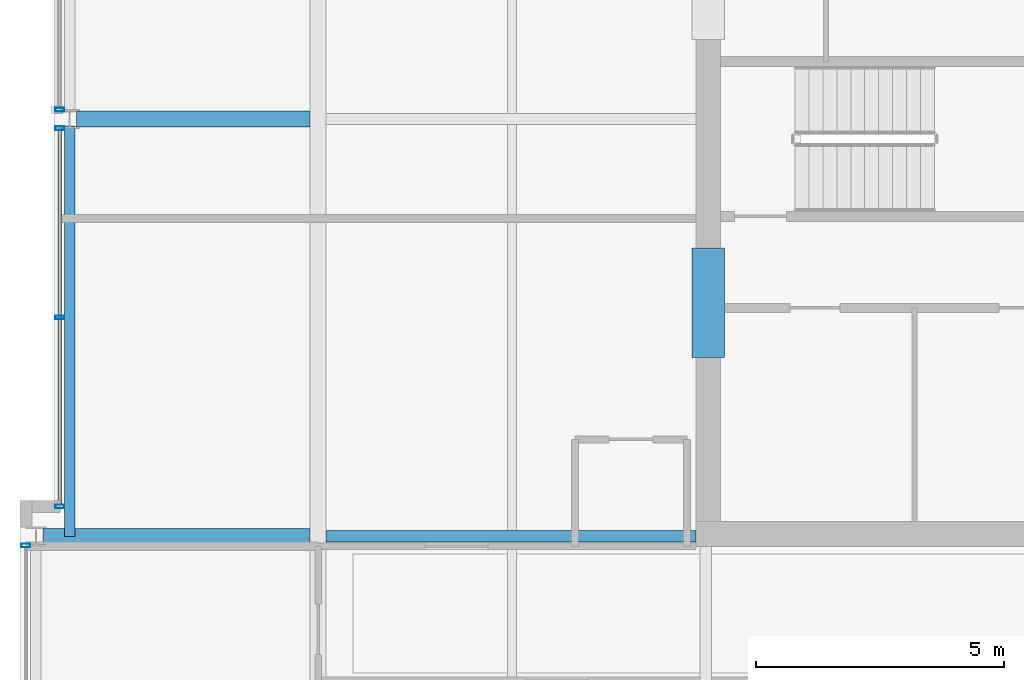
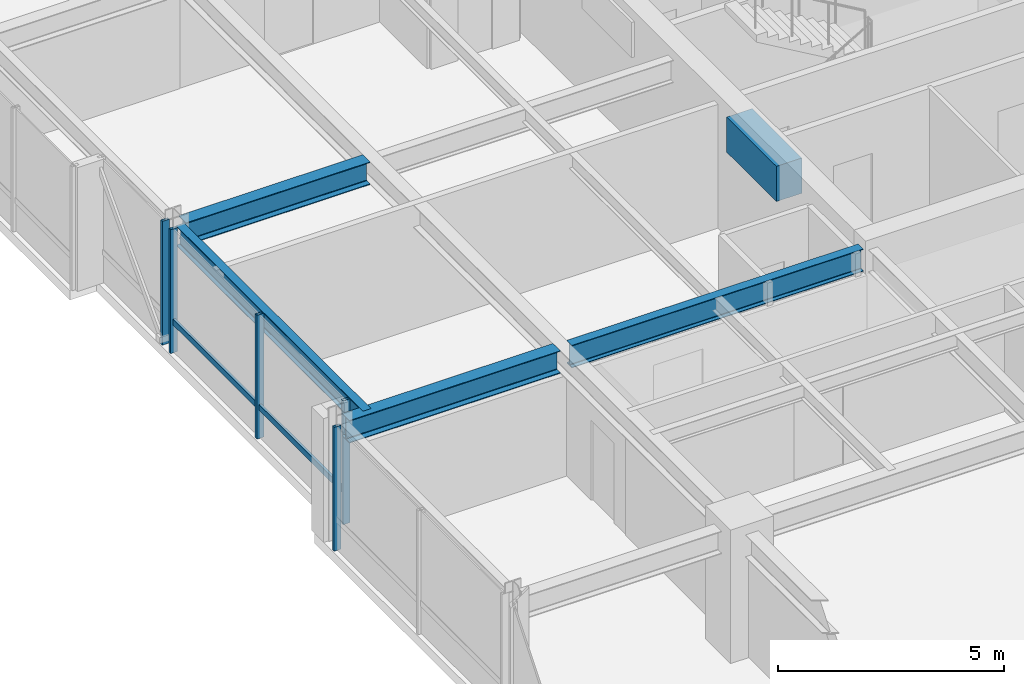
# One storey, part 8 of 31: 6 members, 5 beams, 3 elements without a shape of their own.
"""IFC4 building model written with IfcOpenShell, lengths in metres."""

from ifc_helpers import new_model, si_unit, direction, frame, origin, origin_2d, place, context, subcontext, project, spatial, rectangle, hollow_rectangle, i_section, extrude, material, layer, layer_set, material_profile, profile_set, type_object, element, aggregate, save


model = new_model("IFC4")

# Units and contexts
model_context = context("Model", 3, precision=1e-05, world=origin(), true_north=direction((0.0, 1.0)))
body_context = subcontext(model_context, "Body", "Model", "MODEL_VIEW")
ifc_project = project(units=[si_unit("LENGTHUNIT", "METRE"), si_unit("AREAUNIT", "SQUARE_METRE"), si_unit("VOLUMEUNIT", "CUBIC_METRE"), si_unit("PLANEANGLEUNIT", "RADIAN"), si_unit("MASSUNIT", "GRAM", prefix="KILO")], contexts=[model_context])

# Site, building, storey
site_placement = place(None, origin())
site = spatial("IfcSite", under=ifc_project, at=site_placement, CompositionType="ELEMENT")
building_placement = place(site_placement, origin())
building = spatial("IfcBuilding", under=site, at=building_placement, Name="Drelvath Grand Hotel", CompositionType="ELEMENT")
storey_placement = place(building_placement, frame((0.0, 0.0, 219.5)))
storey = spatial("IfcBuildingStorey", under=building, at=storey_placement, Name="L57", CompositionType="ELEMENT", Elevation=219.5)

# Beam
ifc_material_1 = material(Name="Concrete f'c 55 MPa", Category="concrete")
ifc_material_profile_1 = material_profile(ifc_material_1, rectangle(XDim=0.64990234375, YDim=0.949951171875, at=origin_2d()), Name="CB650X950")
ifc_profile_set_1 = profile_set([ifc_material_profile_1], Name="Concrete f'c 55 MPa")
beam_type_1 = type_object("IfcBeamType", Name="Core Coupling Lintel CB650X950", PredefinedType="LINTEL", material=ifc_profile_set_1)
beam_1_placement = place(storey_placement, frame((-8.35009765625, 22.199951171875, 2.864990234375), z_axis=(0.0, 1.0, 0.0), x_axis=(-1.0, 0.0, 0.0)))
element("IfcBeam", 1, at=beam_1_placement, inside=storey, type_object=beam_type_1, Name="L57 Core Coupling Lintel WS", PredefinedType="LINTEL", context=body_context, shape_type="SweptSolid", body=[
    extrude(rectangle(XDim=0.64990234375, YDim=0.949951171875, at=origin_2d()), origin(), (0.0, 0.0, 1.0), 2.199951171875),
])

# Curtain wall, member
ifc_material_2 = material(Name="Platinum-Mist Anodised Aluminium Frame", Category="aluminium")
ifc_layer = layer(ifc_material_2, 0.199951171875)
ifc_layer_set = layer_set([ifc_layer], Name="Platinum-Mist Anodised Aluminium Frame")
curtain_wall_type = type_object("IfcCurtainWallType", Name="Stick Curtain Wall CW-05 Platinum Mist High-Rise", PredefinedType="NOTDEFINED", material=ifc_layer_set)
curtain_wall_1_placement = place(storey_placement, origin())
curtain_wall_1 = element("IfcCurtainWall", 2, at=curtain_wall_1_placement, inside=storey, type_object=curtain_wall_type, Name="L57 CW-05 Curtain Wall CW05-L57-WM1", PredefinedType="NOTDEFINED")
ifc_material_profile_2 = material_profile(ifc_material_2, hollow_rectangle(XDim=0.06494140625, YDim=0.159912109375, WallThickness=0.00390625, at=origin_2d()), Name="HSS160X65X4")
ifc_profile_set_2 = profile_set([ifc_material_profile_2], Name="Platinum-Mist Anodised Aluminium Frame")
member_type_1 = type_object("IfcMemberType", Name="Curtain Wall Horizontal Transom CW-05 HSS160X65X4", PredefinedType="USERDEFINED", material=ifc_profile_set_2)
member_1_placement = place(storey_placement, frame((-21.39990234375, 19.239990234375, 0.8349609375), z_axis=(0.0, 1.0, 0.0), x_axis=(-1.0, 0.0, 0.0)))
member_1 = element("IfcMember", 3, at=member_1_placement, type_object=member_type_1, Name="CW05-L57-WM1 Sill Transom", ObjectType="TRANSOM", PredefinedType="USERDEFINED", context=body_context, shape_type="SweptSolid", body=[
    extrude(hollow_rectangle(XDim=0.06494140625, YDim=0.159912109375, WallThickness=0.00390625, at=origin_2d()), origin(), (0.0, 0.0, 1.0), 7.53466796875),
])

curtain_wall_2_placement = place(storey_placement, origin())
curtain_wall_2 = element("IfcCurtainWall", 4, at=curtain_wall_2_placement, inside=storey, type_object=curtain_wall_type, Name="L57 CW-05 Curtain Wall CW05-L57-WS2", PredefinedType="NOTDEFINED")
ifc_material_profile_3 = material_profile(ifc_material_2, hollow_rectangle(XDim=0.074951171875, YDim=0.179931640625, WallThickness=0.0048828125, at=origin_2d()), Name="HSS180X75X5")
ifc_profile_set_3 = profile_set([ifc_material_profile_3], Name="Platinum-Mist Anodised Aluminium Frame")
member_type_2 = type_object("IfcMemberType", Name="Curtain Wall Vertical Mullion CW-05 HSS180X75X5", PredefinedType="MULLION", material=ifc_profile_set_3)
member_2_placement = place(storey_placement, frame((-22.080078125, 18.414794921875, 0.0), z_axis=(0.0, 0.0, 1.0), x_axis=(0.0, 1.0, 0.0)))
member_2 = element("IfcMember", 5, at=member_2_placement, type_object=member_type_2, Name="CW05-L57-WS2 Mullion 3", PredefinedType="MULLION", context=body_context, shape_type="SweptSolid", body=[
    extrude(hollow_rectangle(XDim=0.074951171875, YDim=0.179931640625, WallThickness=0.0048828125, at=origin_2d()), origin(), (0.0, 0.0, 1.0), 3.340087890625),
])
aggregate(curtain_wall_2, [member_2])

# Member
member_3_placement = place(storey_placement, frame((-21.39990234375, 19.199951171875, 0.0), z_axis=(0.0, 0.0, 1.0), x_axis=(0.0, 1.0, 0.0)))
member_3 = element("IfcMember", 6, at=member_3_placement, type_object=member_type_2, Name="CW05-L57-WM1 Mullion 1", PredefinedType="MULLION", context=body_context, shape_type="SweptSolid", body=[
    extrude(hollow_rectangle(XDim=0.074951171875, YDim=0.179931640625, WallThickness=0.0048828125, at=origin_2d()), origin(), (0.0, 0.0, 1.0), 3.340087890625),
])

member_4_placement = place(storey_placement, frame((-21.39990234375, 23.00732421875, 0.0), z_axis=(0.0, 0.0, 1.0), x_axis=(0.0, 1.0, 0.0)))
member_4 = element("IfcMember", 7, at=member_4_placement, type_object=member_type_2, Name="CW05-L57-WM1 Mullion 2", PredefinedType="MULLION", context=body_context, shape_type="SweptSolid", body=[
    extrude(hollow_rectangle(XDim=0.074951171875, YDim=0.179931640625, WallThickness=0.0048828125, at=origin_2d()), origin(), (0.0, 0.0, 1.0), 3.340087890625),
])

member_5_placement = place(storey_placement, frame((-21.39990234375, 26.814697265625, 0.0), z_axis=(0.0, 0.0, 1.0), x_axis=(0.0, 1.0, 0.0)))
member_5 = element("IfcMember", 8, at=member_5_placement, type_object=member_type_2, Name="CW05-L57-WM1 Mullion 3", PredefinedType="MULLION", context=body_context, shape_type="SweptSolid", body=[
    extrude(hollow_rectangle(XDim=0.074951171875, YDim=0.179931640625, WallThickness=0.0048828125, at=origin_2d()), origin(), (0.0, 0.0, 1.0), 3.340087890625),
])

aggregate(curtain_wall_1, [member_3, member_4, member_5, member_1])

# Curtain wall, member
curtain_wall_3_placement = place(storey_placement, origin())
curtain_wall_3 = element("IfcCurtainWall", 9, at=curtain_wall_3_placement, inside=storey, type_object=curtain_wall_type, Name="L57 CW-05 Curtain Wall CW05-L57-WM2", PredefinedType="NOTDEFINED")
member_6_placement = place(storey_placement, frame((-21.39990234375, 27.185302734375, 0.0), z_axis=(0.0, 0.0, 1.0), x_axis=(0.0, 1.0, 0.0)))
member_6 = element("IfcMember", 10, at=member_6_placement, type_object=member_type_2, Name="CW05-L57-WM2 Mullion 1", PredefinedType="MULLION", context=body_context, shape_type="SweptSolid", body=[
    extrude(hollow_rectangle(XDim=0.074951171875, YDim=0.179931640625, WallThickness=0.0048828125, at=origin_2d()), origin(), (0.0, 0.0, 1.0), 3.340087890625),
])
aggregate(curtain_wall_3, [member_6])

# Beams
ifc_material_3 = material(Name="Steel ASTM A992 Gr 50", Category="steel")
ifc_material_profile_4 = material_profile(ifc_material_3, i_section(OverallWidth=0.210205078125, OverallDepth=0.53662109375, WebThickness=0.010986328125, FlangeThickness=0.017333984375, FilletRadius=0.01806640625, at=origin_2d()), Name="W21X68")
ifc_profile_set_4 = profile_set([ifc_material_profile_4], Name="Steel ASTM A992 Gr 50")
beam_type_2 = type_object("IfcBeamType", Name="Perimeter Spandrel Beam W21X68", PredefinedType="SPANDREL", material=ifc_profile_set_4)
beam_2_placement = place(storey_placement, frame((-21.199951171875, 18.60009765625, 3.07177734375), z_axis=(0.0, 1.0, 0.0), x_axis=(-1.0, 0.0, 0.0)))
element("IfcBeam", 11, at=beam_2_placement, inside=storey, type_object=beam_type_2, Name="L57 Spandrel West Mid S", PredefinedType="SPANDREL", context=body_context, shape_type="SweptSolid", body=[
    extrude(i_section(OverallWidth=0.210205078125, OverallDepth=0.53662109375, WebThickness=0.010986328125, FlangeThickness=0.017333984375, FilletRadius=0.01806640625, at=origin_2d()), origin(), (0.0, 0.0, 1.0), 8.260009765625),
])
ifc_material_profile_5 = material_profile(ifc_material_3, i_section(OverallWidth=0.323974609375, OverallDepth=0.611083984375, WebThickness=0.0126953125, FlangeThickness=0.01904296875, FilletRadius=0.02197265625, at=origin_2d()), Name="W24X104")
ifc_profile_set_5 = profile_set([ifc_material_profile_5], Name="Steel ASTM A992 Gr 50")
beam_type_3 = type_object("IfcBeamType", Name="Primary Floor Girder W24X104", PredefinedType="BEAM", material=ifc_profile_set_5)
beam_3_placement = place(storey_placement, frame((-21.739990234375, 18.60009765625, 3.034423828125), z_axis=(1.0, 0.0, 0.0), x_axis=(0.0, 1.0, 0.0)))
element("IfcBeam", 12, at=beam_3_placement, inside=storey, type_object=beam_type_3, Name="L57 West Wing Girder D", PredefinedType="BEAM", context=body_context, shape_type="SweptSolid", body=[
    extrude(i_section(OverallWidth=0.323974609375, OverallDepth=0.611083984375, WebThickness=0.0126953125, FlangeThickness=0.01904296875, FilletRadius=0.02197265625, at=origin_2d()), origin(), (0.0, 0.0, 1.0), 5.3779296875),
])
beam_4_placement = place(storey_placement, frame((-21.06005859375, 27.0, 3.034423828125), z_axis=(1.0, 0.0, 0.0), x_axis=(0.0, 1.0, 0.0)))
element("IfcBeam", 13, at=beam_4_placement, inside=storey, type_object=beam_type_3, Name="L57 West Wing Girder E", PredefinedType="BEAM", context=body_context, shape_type="SweptSolid", body=[
    extrude(i_section(OverallWidth=0.323974609375, OverallDepth=0.611083984375, WebThickness=0.0126953125, FlangeThickness=0.01904296875, FilletRadius=0.02197265625, at=origin_2d()), origin(), (0.0, 0.0, 1.0), 4.697998046875),
])
ifc_material_profile_6 = material_profile(ifc_material_3, i_section(OverallWidth=0.228271484375, OverallDepth=0.607666015625, WebThickness=0.01123046875, FlangeThickness=0.017333984375, FilletRadius=0.02001953125, at=origin_2d()), Name="W24X76")
ifc_profile_set_6 = profile_set([ifc_material_profile_6], Name="Steel ASTM A992 Gr 50")
beam_type_4 = type_object("IfcBeamType", Name="Primary Floor Girder W24X76", PredefinedType="BEAM", material=ifc_profile_set_6)
beam_5_placement = place(storey_placement, frame((-16.0380859375, 18.60009765625, 3.0361328125), z_axis=(1.0, 0.0, 0.0), x_axis=(0.0, 1.0, 0.0)))
element("IfcBeam", 14, at=beam_5_placement, inside=storey, type_object=beam_type_4, Name="L57 West Core Tie D", PredefinedType="BEAM", context=body_context, shape_type="SweptSolid", body=[
    extrude(i_section(OverallWidth=0.228271484375, OverallDepth=0.607666015625, WebThickness=0.01123046875, FlangeThickness=0.017333984375, FilletRadius=0.02001953125, at=origin_2d()), origin(), (0.0, 0.0, 1.0), 7.43798828125),
])

save(model, "model.ifc")
